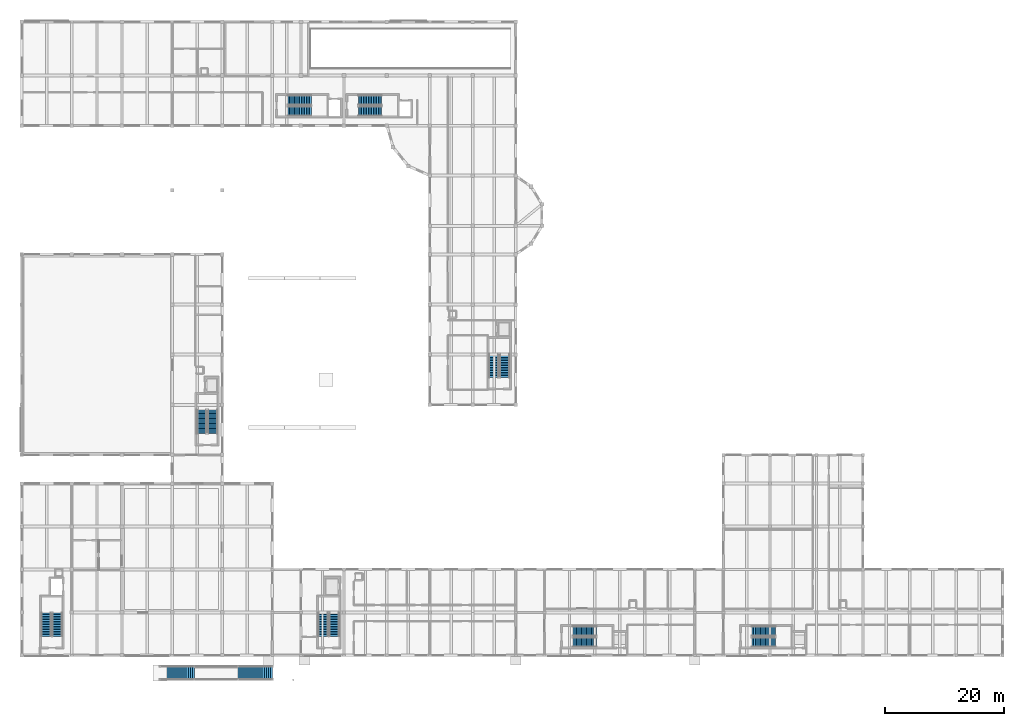
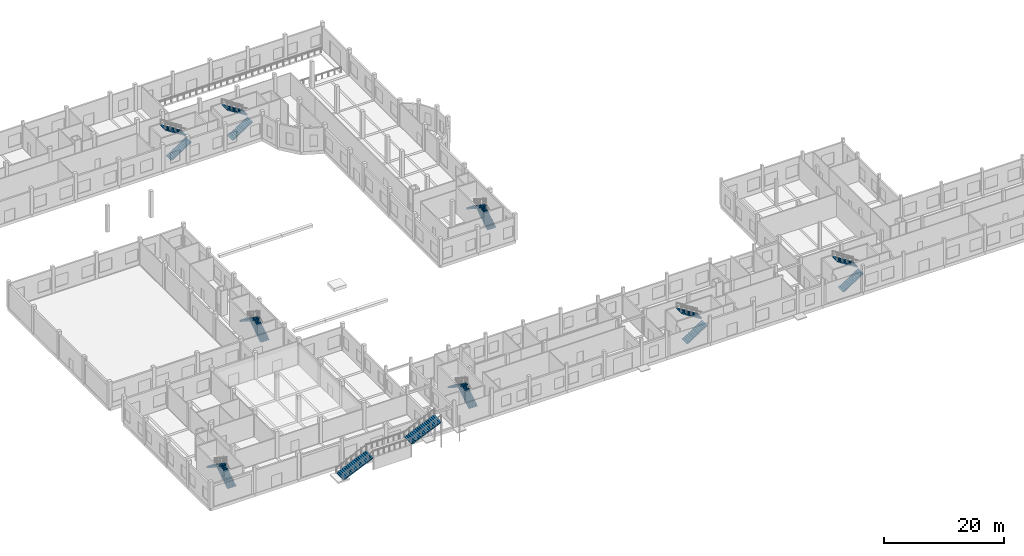
# One storey, part 29 of 41: 18 stair flights, 9 elements without a shape of their own.
"""IFC4 building model written with IfcOpenShell, lengths in metres."""

from ifc_helpers import new_model, si_unit, direction, frame, origin, place, context, subcontext, project, spatial, polyline, outline, extrude, material, type_object, element, aggregate, save


model = new_model("IFC4")

# Units and contexts
model_context = context("Model", 3, precision=1e-05, world=origin(), true_north=direction((0.0, 1.0)))
body_context = subcontext(model_context, "Body", "Model", "MODEL_VIEW")
ifc_project = project(units=[si_unit("LENGTHUNIT", "METRE"), si_unit("AREAUNIT", "SQUARE_METRE"), si_unit("VOLUMEUNIT", "CUBIC_METRE"), si_unit("PLANEANGLEUNIT", "RADIAN"), si_unit("MASSUNIT", "GRAM", prefix="KILO")], contexts=[model_context])

# Site, building, storey
site_placement = place(None, origin())
site = spatial("IfcSite", under=ifc_project, at=site_placement, CompositionType="ELEMENT")
building_placement = place(site_placement, origin())
building = spatial("IfcBuilding", under=site, at=building_placement, Name="Kahlenmark Community Centre", CompositionType="ELEMENT")
storey_placement = place(building_placement, origin())
storey = spatial("IfcBuildingStorey", under=building, at=storey_placement, Name="L00", CompositionType="ELEMENT", Elevation=0.0)

# Stair, stair flights
ifc_material_1 = material(Name="Concrete C35/45", Category="concrete")
stair_type_1 = type_object("IfcStairType", Name="STT-CORE-ST-01-180", PredefinedType="HALF_TURN_STAIR", material=ifc_material_1)
stair_1_placement = place(storey_placement, origin())
stair_1 = element("IfcStair", 1, at=stair_1_placement, inside=storey, type_object=stair_type_1, Name="L00 Core K1 Escape Stair ST-01", PredefinedType="HALF_TURN_STAIR")
stair_flight_type_1 = type_object("IfcStairFlightType", Name="SFT-CORE-ST-01-180", PredefinedType="STRAIGHT", material=ifc_material_1)
stair_flight_1_placement = place(storey_placement, frame((9.97509765625, 12.0, 0.0), z_axis=(0.0, 0.0, 1.0), x_axis=(0.0, 1.0, 0.0)))
stair_flight_1 = element("IfcStairFlight", 2, at=stair_flight_1_placement, type_object=stair_flight_type_1, Name="ST-01 flight 1", NumberOfRisers=15, NumberOfTreads=14, PredefinedType="STRAIGHT", RiserHeight=0.18, TreadLength=0.28, context=body_context, shape_type="SweptSolid", body=[
    extrude(outline(polyline([(0.0, 0.0), (0.0, 0.179931640625), (0.280029296875, 0.179931640625), (0.280029296875, 0.360107421875), (0.56005859375, 0.360107421875), (0.56005859375, 0.5400390625), (0.840087890625, 0.5400390625), (0.840087890625, 0.719970703125), (1.1201171875, 0.719970703125), (1.1201171875, 0.89990234375), (1.39990234375, 0.89990234375), (1.39990234375, 1.080078125), (1.679931640625, 1.080078125), (1.679931640625, 1.260009765625), (1.9599609375, 1.260009765625), (1.9599609375, 1.43994140625), (2.239990234375, 1.43994140625), (2.239990234375, 1.6201171875), (2.52001953125, 1.6201171875), (2.52001953125, 1.800048828125), (2.800048828125, 1.800048828125), (2.800048828125, 1.97998046875), (3.080078125, 1.97998046875), (3.080078125, 2.159912109375), (3.360107421875, 2.159912109375), (3.360107421875, 2.340087890625), (3.639892578125, 2.340087890625), (3.639892578125, 2.52001953125), (3.919921875, 2.52001953125), (3.919921875, 2.699951171875), (3.919921875, 2.341796875), (0.277099609375, 0.0), (0.0, 0.0)])), frame((0.0, 0.824951171875, 0.0), z_axis=(0.0, -1.0, 0.0), x_axis=(1.0, 0.0, 0.0)), (0.0, 0.0, 1.0), 1.64990234375),
])
stair_flight_2_placement = place(storey_placement, frame((8.125, 15.919921875, 2.699951171875), z_axis=(0.0, 0.0, 1.0), x_axis=(0.0, -1.0, 0.0)))
stair_flight_2 = element("IfcStairFlight", 3, at=stair_flight_2_placement, type_object=stair_flight_type_1, Name="ST-01 flight 2", NumberOfRisers=15, NumberOfTreads=14, PredefinedType="STRAIGHT", RiserHeight=0.18, TreadLength=0.28, context=body_context, shape_type="SweptSolid", body=[
    extrude(outline(polyline([(0.0, 0.0), (0.0, 0.179931640625), (0.280029296875, 0.179931640625), (0.280029296875, 0.360107421875), (0.56005859375, 0.360107421875), (0.56005859375, 0.5400390625), (0.840087890625, 0.5400390625), (0.840087890625, 0.719970703125), (1.1201171875, 0.719970703125), (1.1201171875, 0.89990234375), (1.39990234375, 0.89990234375), (1.39990234375, 1.080078125), (1.679931640625, 1.080078125), (1.679931640625, 1.260009765625), (1.9599609375, 1.260009765625), (1.9599609375, 1.43994140625), (2.239990234375, 1.43994140625), (2.239990234375, 1.6201171875), (2.52001953125, 1.6201171875), (2.52001953125, 1.800048828125), (2.800048828125, 1.800048828125), (2.800048828125, 1.97998046875), (3.080078125, 1.97998046875), (3.080078125, 2.159912109375), (3.360107421875, 2.159912109375), (3.360107421875, 2.340087890625), (3.639892578125, 2.340087890625), (3.639892578125, 2.52001953125), (3.919921875, 2.52001953125), (3.919921875, 2.699951171875), (3.919921875, 2.341796875), (0.277099609375, 0.0), (0.0, 0.0)])), frame((0.0, 0.824951171875, 0.0), z_axis=(0.0, -1.0, 0.0), x_axis=(1.0, 0.0, 0.0)), (0.0, 0.0, 1.0), 1.64990234375),
])
aggregate(stair_1, [stair_flight_1, stair_flight_2])

stair_type_2 = type_object("IfcStairType", Name="STT-CORE-ST-02-180", PredefinedType="HALF_TURN_STAIR", material=ifc_material_1)
stair_2_placement = place(storey_placement, origin())
stair_2 = element("IfcStair", 4, at=stair_2_placement, inside=storey, type_object=stair_type_2, Name="L00 Core K2 Escape Stair ST-02", PredefinedType="HALF_TURN_STAIR")
stair_flight_type_2 = type_object("IfcStairFlightType", Name="SFT-CORE-ST-02-180", PredefinedType="STRAIGHT", material=ifc_material_1)
stair_flight_3_placement = place(storey_placement, frame((35.97509765625, 46.0, 0.0), z_axis=(0.0, 0.0, 1.0), x_axis=(0.0, 1.0, 0.0)))
stair_flight_3 = element("IfcStairFlight", 5, at=stair_flight_3_placement, type_object=stair_flight_type_2, Name="ST-02 flight 1", NumberOfRisers=15, NumberOfTreads=14, PredefinedType="STRAIGHT", RiserHeight=0.18, TreadLength=0.28, context=body_context, shape_type="SweptSolid", body=[
    extrude(outline(polyline([(0.0, 0.0), (0.0, 0.179931640625), (0.280029296875, 0.179931640625), (0.280029296875, 0.360107421875), (0.56005859375, 0.360107421875), (0.56005859375, 0.5400390625), (0.840087890625, 0.5400390625), (0.840087890625, 0.719970703125), (1.1201171875, 0.719970703125), (1.1201171875, 0.89990234375), (1.39990234375, 0.89990234375), (1.39990234375, 1.080078125), (1.679931640625, 1.080078125), (1.679931640625, 1.260009765625), (1.9599609375, 1.260009765625), (1.9599609375, 1.43994140625), (2.239990234375, 1.43994140625), (2.239990234375, 1.6201171875), (2.52001953125, 1.6201171875), (2.52001953125, 1.800048828125), (2.800048828125, 1.800048828125), (2.800048828125, 1.97998046875), (3.080078125, 1.97998046875), (3.080078125, 2.159912109375), (3.360107421875, 2.159912109375), (3.360107421875, 2.340087890625), (3.639892578125, 2.340087890625), (3.639892578125, 2.52001953125), (3.919921875, 2.52001953125), (3.919921875, 2.699951171875), (3.919921875, 2.341796875), (0.277099609375, 0.0), (0.0, 0.0)])), frame((0.0, 0.824951171875, 0.0), z_axis=(0.0, -1.0, 0.0), x_axis=(1.0, 0.0, 0.0)), (0.0, 0.0, 1.0), 1.64990234375),
])
stair_flight_4_placement = place(storey_placement, frame((34.125, 49.919921875, 2.699951171875), z_axis=(0.0, 0.0, 1.0), x_axis=(0.0, -1.0, 0.0)))
stair_flight_4 = element("IfcStairFlight", 6, at=stair_flight_4_placement, type_object=stair_flight_type_2, Name="ST-02 flight 2", NumberOfRisers=15, NumberOfTreads=14, PredefinedType="STRAIGHT", RiserHeight=0.18, TreadLength=0.28, context=body_context, shape_type="SweptSolid", body=[
    extrude(outline(polyline([(0.0, 0.0), (0.0, 0.179931640625), (0.280029296875, 0.179931640625), (0.280029296875, 0.360107421875), (0.56005859375, 0.360107421875), (0.56005859375, 0.5400390625), (0.840087890625, 0.5400390625), (0.840087890625, 0.719970703125), (1.1201171875, 0.719970703125), (1.1201171875, 0.89990234375), (1.39990234375, 0.89990234375), (1.39990234375, 1.080078125), (1.679931640625, 1.080078125), (1.679931640625, 1.260009765625), (1.9599609375, 1.260009765625), (1.9599609375, 1.43994140625), (2.239990234375, 1.43994140625), (2.239990234375, 1.6201171875), (2.52001953125, 1.6201171875), (2.52001953125, 1.800048828125), (2.800048828125, 1.800048828125), (2.800048828125, 1.97998046875), (3.080078125, 1.97998046875), (3.080078125, 2.159912109375), (3.360107421875, 2.159912109375), (3.360107421875, 2.340087890625), (3.639892578125, 2.340087890625), (3.639892578125, 2.52001953125), (3.919921875, 2.52001953125), (3.919921875, 2.699951171875), (3.919921875, 2.341796875), (0.277099609375, 0.0), (0.0, 0.0)])), frame((0.0, 0.824951171875, 0.0), z_axis=(0.0, -1.0, 0.0), x_axis=(1.0, 0.0, 0.0)), (0.0, 0.0, 1.0), 1.64990234375),
])
aggregate(stair_2, [stair_flight_3, stair_flight_4])

stair_type_3 = type_object("IfcStairType", Name="STT-CORE-ST-03-180", PredefinedType="HALF_TURN_STAIR", material=ifc_material_1)
stair_3_placement = place(storey_placement, origin())
stair_3 = element("IfcStair", 7, at=stair_3_placement, inside=storey, type_object=stair_type_3, Name="L00 Core K3 Escape Stair ST-03", PredefinedType="HALF_TURN_STAIR")
stair_flight_type_3 = type_object("IfcStairFlightType", Name="SFT-CORE-ST-03-180", PredefinedType="STRAIGHT", material=ifc_material_1)
stair_flight_5_placement = place(storey_placement, frame((56.375, 12.0, 0.0), z_axis=(0.0, 0.0, 1.0), x_axis=(0.0, 1.0, 0.0)))
stair_flight_5 = element("IfcStairFlight", 8, at=stair_flight_5_placement, type_object=stair_flight_type_3, Name="ST-03 flight 1", NumberOfRisers=15, NumberOfTreads=14, PredefinedType="STRAIGHT", RiserHeight=0.18, TreadLength=0.28, context=body_context, shape_type="SweptSolid", body=[
    extrude(outline(polyline([(0.0, 0.0), (0.0, 0.179931640625), (0.280029296875, 0.179931640625), (0.280029296875, 0.360107421875), (0.56005859375, 0.360107421875), (0.56005859375, 0.5400390625), (0.840087890625, 0.5400390625), (0.840087890625, 0.719970703125), (1.1201171875, 0.719970703125), (1.1201171875, 0.89990234375), (1.39990234375, 0.89990234375), (1.39990234375, 1.080078125), (1.679931640625, 1.080078125), (1.679931640625, 1.260009765625), (1.9599609375, 1.260009765625), (1.9599609375, 1.43994140625), (2.239990234375, 1.43994140625), (2.239990234375, 1.6201171875), (2.52001953125, 1.6201171875), (2.52001953125, 1.800048828125), (2.800048828125, 1.800048828125), (2.800048828125, 1.97998046875), (3.080078125, 1.97998046875), (3.080078125, 2.159912109375), (3.360107421875, 2.159912109375), (3.360107421875, 2.340087890625), (3.639892578125, 2.340087890625), (3.639892578125, 2.52001953125), (3.919921875, 2.52001953125), (3.919921875, 2.699951171875), (3.919921875, 2.341796875), (0.277099609375, 0.0), (0.0, 0.0)])), frame((0.0, 0.824951171875, 0.0), z_axis=(0.0, -1.0, 0.0), x_axis=(1.0, 0.0, 0.0)), (0.0, 0.0, 1.0), 1.64990234375),
])
stair_flight_6_placement = place(storey_placement, frame((54.52490234375, 15.919921875, 2.699951171875), z_axis=(0.0, 0.0, 1.0), x_axis=(0.0, -1.0, 0.0)))
stair_flight_6 = element("IfcStairFlight", 9, at=stair_flight_6_placement, type_object=stair_flight_type_3, Name="ST-03 flight 2", NumberOfRisers=15, NumberOfTreads=14, PredefinedType="STRAIGHT", RiserHeight=0.18, TreadLength=0.28, context=body_context, shape_type="SweptSolid", body=[
    extrude(outline(polyline([(0.0, 0.0), (0.0, 0.179931640625), (0.280029296875, 0.179931640625), (0.280029296875, 0.360107421875), (0.56005859375, 0.360107421875), (0.56005859375, 0.5400390625), (0.840087890625, 0.5400390625), (0.840087890625, 0.719970703125), (1.1201171875, 0.719970703125), (1.1201171875, 0.89990234375), (1.39990234375, 0.89990234375), (1.39990234375, 1.080078125), (1.679931640625, 1.080078125), (1.679931640625, 1.260009765625), (1.9599609375, 1.260009765625), (1.9599609375, 1.43994140625), (2.239990234375, 1.43994140625), (2.239990234375, 1.6201171875), (2.52001953125, 1.6201171875), (2.52001953125, 1.800048828125), (2.800048828125, 1.800048828125), (2.800048828125, 1.97998046875), (3.080078125, 1.97998046875), (3.080078125, 2.159912109375), (3.360107421875, 2.159912109375), (3.360107421875, 2.340087890625), (3.639892578125, 2.340087890625), (3.639892578125, 2.52001953125), (3.919921875, 2.52001953125), (3.919921875, 2.699951171875), (3.919921875, 2.341796875), (0.277099609375, 0.0), (0.0, 0.0)])), frame((0.0, 0.824951171875, 0.0), z_axis=(0.0, -1.0, 0.0), x_axis=(1.0, 0.0, 0.0)), (0.0, 0.0, 1.0), 1.64990234375),
])
aggregate(stair_3, [stair_flight_5, stair_flight_6])

stair_type_4 = type_object("IfcStairType", Name="STT-CORE-ST-04-180", PredefinedType="HALF_TURN_STAIR", material=ifc_material_1)
stair_4_placement = place(storey_placement, origin())
stair_4 = element("IfcStair", 10, at=stair_4_placement, inside=storey, type_object=stair_type_4, Name="L00 Core K4 Escape Stair ST-04", PredefinedType="HALF_TURN_STAIR")
stair_flight_type_4 = type_object("IfcStairFlightType", Name="SFT-CORE-ST-04-180", PredefinedType="STRAIGHT", material=ifc_material_1)
stair_flight_7_placement = place(storey_placement, frame((48.60009765625, 100.02490234375, 0.0), z_axis=(0.0, 0.0, 1.0), x_axis=(1.0, 0.0, 0.0)))
stair_flight_7 = element("IfcStairFlight", 11, at=stair_flight_7_placement, type_object=stair_flight_type_4, Name="ST-04 flight 1", NumberOfRisers=15, NumberOfTreads=14, PredefinedType="STRAIGHT", RiserHeight=0.18, TreadLength=0.28, context=body_context, shape_type="SweptSolid", body=[
    extrude(outline(polyline([(0.0, 0.0), (0.0, 0.179931640625), (0.280029296875, 0.179931640625), (0.280029296875, 0.360107421875), (0.56005859375, 0.360107421875), (0.56005859375, 0.5400390625), (0.840087890625, 0.5400390625), (0.840087890625, 0.719970703125), (1.1201171875, 0.719970703125), (1.1201171875, 0.89990234375), (1.39990234375, 0.89990234375), (1.39990234375, 1.080078125), (1.679931640625, 1.080078125), (1.679931640625, 1.260009765625), (1.9599609375, 1.260009765625), (1.9599609375, 1.43994140625), (2.239990234375, 1.43994140625), (2.239990234375, 1.6201171875), (2.52001953125, 1.6201171875), (2.52001953125, 1.800048828125), (2.800048828125, 1.800048828125), (2.800048828125, 1.97998046875), (3.080078125, 1.97998046875), (3.080078125, 2.159912109375), (3.360107421875, 2.159912109375), (3.360107421875, 2.340087890625), (3.639892578125, 2.340087890625), (3.639892578125, 2.52001953125), (3.919921875, 2.52001953125), (3.919921875, 2.699951171875), (3.919921875, 2.341796875), (0.277099609375, 0.0), (0.0, 0.0)])), frame((0.0, 0.824951171875, 0.0), z_axis=(0.0, -1.0, 0.0), x_axis=(1.0, 0.0, 0.0)), (0.0, 0.0, 1.0), 1.64990234375),
])
stair_flight_8_placement = place(storey_placement, frame((52.52001953125, 101.875, 2.699951171875), z_axis=(0.0, 0.0, 1.0), x_axis=(-1.0, 0.0, 0.0)))
stair_flight_8 = element("IfcStairFlight", 12, at=stair_flight_8_placement, type_object=stair_flight_type_4, Name="ST-04 flight 2", NumberOfRisers=15, NumberOfTreads=14, PredefinedType="STRAIGHT", RiserHeight=0.18, TreadLength=0.28, context=body_context, shape_type="SweptSolid", body=[
    extrude(outline(polyline([(0.0, 0.0), (0.0, 0.179931640625), (0.280029296875, 0.179931640625), (0.280029296875, 0.360107421875), (0.56005859375, 0.360107421875), (0.56005859375, 0.5400390625), (0.840087890625, 0.5400390625), (0.840087890625, 0.719970703125), (1.1201171875, 0.719970703125), (1.1201171875, 0.89990234375), (1.39990234375, 0.89990234375), (1.39990234375, 1.080078125), (1.679931640625, 1.080078125), (1.679931640625, 1.260009765625), (1.9599609375, 1.260009765625), (1.9599609375, 1.43994140625), (2.239990234375, 1.43994140625), (2.239990234375, 1.6201171875), (2.52001953125, 1.6201171875), (2.52001953125, 1.800048828125), (2.800048828125, 1.800048828125), (2.800048828125, 1.97998046875), (3.080078125, 1.97998046875), (3.080078125, 2.159912109375), (3.360107421875, 2.159912109375), (3.360107421875, 2.340087890625), (3.639892578125, 2.340087890625), (3.639892578125, 2.52001953125), (3.919921875, 2.52001953125), (3.919921875, 2.699951171875), (3.919921875, 2.341796875), (0.277099609375, 0.0), (0.0, 0.0)])), frame((0.0, 0.824951171875, 0.0), z_axis=(0.0, -1.0, 0.0), x_axis=(1.0, 0.0, 0.0)), (0.0, 0.0, 1.0), 1.64990234375),
])
aggregate(stair_4, [stair_flight_7, stair_flight_8])

stair_type_5 = type_object("IfcStairType", Name="STT-CORE-ST-05-180", PredefinedType="HALF_TURN_STAIR", material=ifc_material_1)
stair_5_placement = place(storey_placement, origin())
stair_5 = element("IfcStair", 13, at=stair_5_placement, inside=storey, type_object=stair_type_5, Name="L00 Core K5 Escape Stair ST-05", PredefinedType="HALF_TURN_STAIR")
stair_flight_type_5 = type_object("IfcStairFlightType", Name="SFT-CORE-ST-05-180", PredefinedType="STRAIGHT", material=ifc_material_1)
stair_flight_9_placement = place(storey_placement, frame((60.39990234375, 100.02490234375, 0.0), z_axis=(0.0, 0.0, 1.0), x_axis=(1.0, 0.0, 0.0)))
stair_flight_9 = element("IfcStairFlight", 14, at=stair_flight_9_placement, type_object=stair_flight_type_5, Name="ST-05 flight 1", NumberOfRisers=15, NumberOfTreads=14, PredefinedType="STRAIGHT", RiserHeight=0.18, TreadLength=0.28, context=body_context, shape_type="SweptSolid", body=[
    extrude(outline(polyline([(0.0, 0.0), (0.0, 0.179931640625), (0.280029296875, 0.179931640625), (0.280029296875, 0.360107421875), (0.56005859375, 0.360107421875), (0.56005859375, 0.5400390625), (0.840087890625, 0.5400390625), (0.840087890625, 0.719970703125), (1.1201171875, 0.719970703125), (1.1201171875, 0.89990234375), (1.39990234375, 0.89990234375), (1.39990234375, 1.080078125), (1.679931640625, 1.080078125), (1.679931640625, 1.260009765625), (1.9599609375, 1.260009765625), (1.9599609375, 1.43994140625), (2.239990234375, 1.43994140625), (2.239990234375, 1.6201171875), (2.52001953125, 1.6201171875), (2.52001953125, 1.800048828125), (2.800048828125, 1.800048828125), (2.800048828125, 1.97998046875), (3.080078125, 1.97998046875), (3.080078125, 2.159912109375), (3.360107421875, 2.159912109375), (3.360107421875, 2.340087890625), (3.639892578125, 2.340087890625), (3.639892578125, 2.52001953125), (3.919921875, 2.52001953125), (3.919921875, 2.699951171875), (3.919921875, 2.341796875), (0.277099609375, 0.0), (0.0, 0.0)])), frame((0.0, 0.824951171875, 0.0), z_axis=(0.0, -1.0, 0.0), x_axis=(1.0, 0.0, 0.0)), (0.0, 0.0, 1.0), 1.64990234375),
])
stair_flight_10_placement = place(storey_placement, frame((64.320068359375, 101.875, 2.699951171875), z_axis=(0.0, 0.0, 1.0), x_axis=(-1.0, 0.0, 0.0)))
stair_flight_10 = element("IfcStairFlight", 15, at=stair_flight_10_placement, type_object=stair_flight_type_5, Name="ST-05 flight 2", NumberOfRisers=15, NumberOfTreads=14, PredefinedType="STRAIGHT", RiserHeight=0.18, TreadLength=0.28, context=body_context, shape_type="SweptSolid", body=[
    extrude(outline(polyline([(0.0, 0.0), (0.0, 0.179931640625), (0.280029296875, 0.179931640625), (0.280029296875, 0.360107421875), (0.56005859375, 0.360107421875), (0.56005859375, 0.5400390625), (0.840087890625, 0.5400390625), (0.840087890625, 0.719970703125), (1.1201171875, 0.719970703125), (1.1201171875, 0.89990234375), (1.39990234375, 0.89990234375), (1.39990234375, 1.080078125), (1.679931640625, 1.080078125), (1.679931640625, 1.260009765625), (1.9599609375, 1.260009765625), (1.9599609375, 1.43994140625), (2.239990234375, 1.43994140625), (2.239990234375, 1.6201171875), (2.52001953125, 1.6201171875), (2.52001953125, 1.800048828125), (2.800048828125, 1.800048828125), (2.800048828125, 1.97998046875), (3.080078125, 1.97998046875), (3.080078125, 2.159912109375), (3.360107421875, 2.159912109375), (3.360107421875, 2.340087890625), (3.639892578125, 2.340087890625), (3.639892578125, 2.52001953125), (3.919921875, 2.52001953125), (3.919921875, 2.699951171875), (3.919921875, 2.341796875), (0.277099609375, 0.0), (0.0, 0.0)])), frame((0.0, 0.824951171875, 0.0), z_axis=(0.0, -1.0, 0.0), x_axis=(1.0, 0.0, 0.0)), (0.0, 0.0, 1.0), 1.64990234375),
])
aggregate(stair_5, [stair_flight_9, stair_flight_10])

stair_type_6 = type_object("IfcStairType", Name="STT-CORE-ST-06-180", PredefinedType="HALF_TURN_STAIR", material=ifc_material_1)
stair_6_placement = place(storey_placement, origin())
stair_6 = element("IfcStair", 16, at=stair_6_placement, inside=storey, type_object=stair_type_6, Name="L00 Core K6 Escape Stair ST-06", PredefinedType="HALF_TURN_STAIR")
stair_flight_type_6 = type_object("IfcStairFlightType", Name="SFT-CORE-ST-06-180", PredefinedType="STRAIGHT", material=ifc_material_1)
stair_flight_11_placement = place(storey_placement, frame((84.97509765625, 55.39990234375, 0.0), z_axis=(0.0, 0.0, 1.0), x_axis=(0.0, 1.0, 0.0)))
stair_flight_11 = element("IfcStairFlight", 17, at=stair_flight_11_placement, type_object=stair_flight_type_6, Name="ST-06 flight 1", NumberOfRisers=15, NumberOfTreads=14, PredefinedType="STRAIGHT", RiserHeight=0.18, TreadLength=0.28, context=body_context, shape_type="SweptSolid", body=[
    extrude(outline(polyline([(0.0, 0.0), (0.0, 0.179931640625), (0.280029296875, 0.179931640625), (0.280029296875, 0.360107421875), (0.56005859375, 0.360107421875), (0.56005859375, 0.5400390625), (0.840087890625, 0.5400390625), (0.840087890625, 0.719970703125), (1.1201171875, 0.719970703125), (1.1201171875, 0.89990234375), (1.39990234375, 0.89990234375), (1.39990234375, 1.080078125), (1.679931640625, 1.080078125), (1.679931640625, 1.260009765625), (1.9599609375, 1.260009765625), (1.9599609375, 1.43994140625), (2.239990234375, 1.43994140625), (2.239990234375, 1.6201171875), (2.52001953125, 1.6201171875), (2.52001953125, 1.800048828125), (2.800048828125, 1.800048828125), (2.800048828125, 1.97998046875), (3.080078125, 1.97998046875), (3.080078125, 2.159912109375), (3.360107421875, 2.159912109375), (3.360107421875, 2.340087890625), (3.639892578125, 2.340087890625), (3.639892578125, 2.52001953125), (3.919921875, 2.52001953125), (3.919921875, 2.699951171875), (3.919921875, 2.341796875), (0.277099609375, 0.0), (0.0, 0.0)])), frame((0.0, 0.824951171875, 0.0), z_axis=(0.0, -1.0, 0.0), x_axis=(1.0, 0.0, 0.0)), (0.0, 0.0, 1.0), 1.64990234375),
])
stair_flight_12_placement = place(storey_placement, frame((83.125, 59.320068359375, 2.699951171875), z_axis=(0.0, 0.0, 1.0), x_axis=(0.0, -1.0, 0.0)))
stair_flight_12 = element("IfcStairFlight", 18, at=stair_flight_12_placement, type_object=stair_flight_type_6, Name="ST-06 flight 2", NumberOfRisers=15, NumberOfTreads=14, PredefinedType="STRAIGHT", RiserHeight=0.18, TreadLength=0.28, context=body_context, shape_type="SweptSolid", body=[
    extrude(outline(polyline([(0.0, 0.0), (0.0, 0.179931640625), (0.280029296875, 0.179931640625), (0.280029296875, 0.360107421875), (0.56005859375, 0.360107421875), (0.56005859375, 0.5400390625), (0.840087890625, 0.5400390625), (0.840087890625, 0.719970703125), (1.1201171875, 0.719970703125), (1.1201171875, 0.89990234375), (1.39990234375, 0.89990234375), (1.39990234375, 1.080078125), (1.679931640625, 1.080078125), (1.679931640625, 1.260009765625), (1.9599609375, 1.260009765625), (1.9599609375, 1.43994140625), (2.239990234375, 1.43994140625), (2.239990234375, 1.6201171875), (2.52001953125, 1.6201171875), (2.52001953125, 1.800048828125), (2.800048828125, 1.800048828125), (2.800048828125, 1.97998046875), (3.080078125, 1.97998046875), (3.080078125, 2.159912109375), (3.360107421875, 2.159912109375), (3.360107421875, 2.340087890625), (3.639892578125, 2.340087890625), (3.639892578125, 2.52001953125), (3.919921875, 2.52001953125), (3.919921875, 2.699951171875), (3.919921875, 2.341796875), (0.277099609375, 0.0), (0.0, 0.0)])), frame((0.0, 0.824951171875, 0.0), z_axis=(0.0, -1.0, 0.0), x_axis=(1.0, 0.0, 0.0)), (0.0, 0.0, 1.0), 1.64990234375),
])
aggregate(stair_6, [stair_flight_11, stair_flight_12])

stair_type_7 = type_object("IfcStairType", Name="STT-CORE-ST-07-180", PredefinedType="HALF_TURN_STAIR", material=ifc_material_1)
stair_7_placement = place(storey_placement, origin())
stair_7 = element("IfcStair", 19, at=stair_7_placement, inside=storey, type_object=stair_type_7, Name="L00 Core K7 Escape Stair ST-07", PredefinedType="HALF_TURN_STAIR")
stair_flight_type_7 = type_object("IfcStairFlightType", Name="SFT-CORE-ST-07-180", PredefinedType="STRAIGHT", material=ifc_material_1)
stair_flight_13_placement = place(storey_placement, frame((96.39990234375, 11.02490234375, 0.0), z_axis=(0.0, 0.0, 1.0), x_axis=(1.0, 0.0, 0.0)))
stair_flight_13 = element("IfcStairFlight", 20, at=stair_flight_13_placement, type_object=stair_flight_type_7, Name="ST-07 flight 1", NumberOfRisers=15, NumberOfTreads=14, PredefinedType="STRAIGHT", RiserHeight=0.18, TreadLength=0.28, context=body_context, shape_type="SweptSolid", body=[
    extrude(outline(polyline([(0.0, 0.0), (0.0, 0.179931640625), (0.280029296875, 0.179931640625), (0.280029296875, 0.360107421875), (0.56005859375, 0.360107421875), (0.56005859375, 0.5400390625), (0.840087890625, 0.5400390625), (0.840087890625, 0.719970703125), (1.1201171875, 0.719970703125), (1.1201171875, 0.89990234375), (1.39990234375, 0.89990234375), (1.39990234375, 1.080078125), (1.679931640625, 1.080078125), (1.679931640625, 1.260009765625), (1.9599609375, 1.260009765625), (1.9599609375, 1.43994140625), (2.239990234375, 1.43994140625), (2.239990234375, 1.6201171875), (2.52001953125, 1.6201171875), (2.52001953125, 1.800048828125), (2.800048828125, 1.800048828125), (2.800048828125, 1.97998046875), (3.080078125, 1.97998046875), (3.080078125, 2.159912109375), (3.360107421875, 2.159912109375), (3.360107421875, 2.340087890625), (3.639892578125, 2.340087890625), (3.639892578125, 2.52001953125), (3.919921875, 2.52001953125), (3.919921875, 2.699951171875), (3.919921875, 2.341796875), (0.277099609375, 0.0), (0.0, 0.0)])), frame((0.0, 0.824951171875, 0.0), z_axis=(0.0, -1.0, 0.0), x_axis=(1.0, 0.0, 0.0)), (0.0, 0.0, 1.0), 1.64990234375),
])
stair_flight_14_placement = place(storey_placement, frame((100.320068359375, 12.875, 2.699951171875), z_axis=(0.0, 0.0, 1.0), x_axis=(-1.0, 0.0, 0.0)))
stair_flight_14 = element("IfcStairFlight", 21, at=stair_flight_14_placement, type_object=stair_flight_type_7, Name="ST-07 flight 2", NumberOfRisers=15, NumberOfTreads=14, PredefinedType="STRAIGHT", RiserHeight=0.18, TreadLength=0.28, context=body_context, shape_type="SweptSolid", body=[
    extrude(outline(polyline([(0.0, 0.0), (0.0, 0.179931640625), (0.280029296875, 0.179931640625), (0.280029296875, 0.360107421875), (0.56005859375, 0.360107421875), (0.56005859375, 0.5400390625), (0.840087890625, 0.5400390625), (0.840087890625, 0.719970703125), (1.1201171875, 0.719970703125), (1.1201171875, 0.89990234375), (1.39990234375, 0.89990234375), (1.39990234375, 1.080078125), (1.679931640625, 1.080078125), (1.679931640625, 1.260009765625), (1.9599609375, 1.260009765625), (1.9599609375, 1.43994140625), (2.239990234375, 1.43994140625), (2.239990234375, 1.6201171875), (2.52001953125, 1.6201171875), (2.52001953125, 1.800048828125), (2.800048828125, 1.800048828125), (2.800048828125, 1.97998046875), (3.080078125, 1.97998046875), (3.080078125, 2.159912109375), (3.360107421875, 2.159912109375), (3.360107421875, 2.340087890625), (3.639892578125, 2.340087890625), (3.639892578125, 2.52001953125), (3.919921875, 2.52001953125), (3.919921875, 2.699951171875), (3.919921875, 2.341796875), (0.277099609375, 0.0), (0.0, 0.0)])), frame((0.0, 0.824951171875, 0.0), z_axis=(0.0, -1.0, 0.0), x_axis=(1.0, 0.0, 0.0)), (0.0, 0.0, 1.0), 1.64990234375),
])
aggregate(stair_7, [stair_flight_13, stair_flight_14])

stair_type_8 = type_object("IfcStairType", Name="STT-CORE-ST-08-180", PredefinedType="HALF_TURN_STAIR", material=ifc_material_1)
stair_8_placement = place(storey_placement, origin())
stair_8 = element("IfcStair", 22, at=stair_8_placement, inside=storey, type_object=stair_type_8, Name="L00 Core K8 Escape Stair ST-08", PredefinedType="HALF_TURN_STAIR")
stair_flight_type_8 = type_object("IfcStairFlightType", Name="SFT-CORE-ST-08-180", PredefinedType="STRAIGHT", material=ifc_material_1)
stair_flight_15_placement = place(storey_placement, frame((126.39990234375, 11.02490234375, 0.0), z_axis=(0.0, 0.0, 1.0), x_axis=(1.0, 0.0, 0.0)))
stair_flight_15 = element("IfcStairFlight", 23, at=stair_flight_15_placement, type_object=stair_flight_type_8, Name="ST-08 flight 1", NumberOfRisers=15, NumberOfTreads=14, PredefinedType="STRAIGHT", RiserHeight=0.18, TreadLength=0.28, context=body_context, shape_type="SweptSolid", body=[
    extrude(outline(polyline([(0.0, 0.0), (0.0, 0.179931640625), (0.280029296875, 0.179931640625), (0.280029296875, 0.360107421875), (0.56005859375, 0.360107421875), (0.56005859375, 0.5400390625), (0.840087890625, 0.5400390625), (0.840087890625, 0.719970703125), (1.1201171875, 0.719970703125), (1.1201171875, 0.89990234375), (1.39990234375, 0.89990234375), (1.39990234375, 1.080078125), (1.679931640625, 1.080078125), (1.679931640625, 1.260009765625), (1.9599609375, 1.260009765625), (1.9599609375, 1.43994140625), (2.239990234375, 1.43994140625), (2.239990234375, 1.6201171875), (2.52001953125, 1.6201171875), (2.52001953125, 1.800048828125), (2.800048828125, 1.800048828125), (2.800048828125, 1.97998046875), (3.080078125, 1.97998046875), (3.080078125, 2.159912109375), (3.360107421875, 2.159912109375), (3.360107421875, 2.340087890625), (3.639892578125, 2.340087890625), (3.639892578125, 2.52001953125), (3.919921875, 2.52001953125), (3.919921875, 2.699951171875), (3.919921875, 2.341796875), (0.277099609375, 0.0), (0.0, 0.0)])), frame((0.0, 0.824951171875, 0.0), z_axis=(0.0, -1.0, 0.0), x_axis=(1.0, 0.0, 0.0)), (0.0, 0.0, 1.0), 1.64990234375),
])
stair_flight_16_placement = place(storey_placement, frame((130.320068359375, 12.875, 2.699951171875), z_axis=(0.0, 0.0, 1.0), x_axis=(-1.0, 0.0, 0.0)))
stair_flight_16 = element("IfcStairFlight", 24, at=stair_flight_16_placement, type_object=stair_flight_type_8, Name="ST-08 flight 2", NumberOfRisers=15, NumberOfTreads=14, PredefinedType="STRAIGHT", RiserHeight=0.18, TreadLength=0.28, context=body_context, shape_type="SweptSolid", body=[
    extrude(outline(polyline([(0.0, 0.0), (0.0, 0.179931640625), (0.280029296875, 0.179931640625), (0.280029296875, 0.360107421875), (0.56005859375, 0.360107421875), (0.56005859375, 0.5400390625), (0.840087890625, 0.5400390625), (0.840087890625, 0.719970703125), (1.1201171875, 0.719970703125), (1.1201171875, 0.89990234375), (1.39990234375, 0.89990234375), (1.39990234375, 1.080078125), (1.679931640625, 1.080078125), (1.679931640625, 1.260009765625), (1.9599609375, 1.260009765625), (1.9599609375, 1.43994140625), (2.239990234375, 1.43994140625), (2.239990234375, 1.6201171875), (2.52001953125, 1.6201171875), (2.52001953125, 1.800048828125), (2.800048828125, 1.800048828125), (2.800048828125, 1.97998046875), (3.080078125, 1.97998046875), (3.080078125, 2.159912109375), (3.360107421875, 2.159912109375), (3.360107421875, 2.340087890625), (3.639892578125, 2.340087890625), (3.639892578125, 2.52001953125), (3.919921875, 2.52001953125), (3.919921875, 2.699951171875), (3.919921875, 2.341796875), (0.277099609375, 0.0), (0.0, 0.0)])), frame((0.0, 0.824951171875, 0.0), z_axis=(0.0, -1.0, 0.0), x_axis=(1.0, 0.0, 0.0)), (0.0, 0.0, 1.0), 1.64990234375),
])
aggregate(stair_8, [stair_flight_15, stair_flight_16])

ifc_material_2 = material(Name="Oxide-vermilion painted Steel S355", Category="steel")
stair_type_9 = type_object("IfcStairType", Name="STT-OUT-ST09", PredefinedType="STRAIGHT_RUN_STAIR", material=ifc_material_2)
stair_9_placement = place(storey_placement, origin())
stair_9 = element("IfcStair", 25, at=stair_9_placement, inside=storey, type_object=stair_type_9, Name="South Forecourt Ceremonial Stair ST-09", PredefinedType="STRAIGHT_RUN_STAIR")
stair_flight_type_9 = type_object("IfcStairFlightType", Name="SFT-OUT-ST09", PredefinedType="STRAIGHT", material=ifc_material_2)
stair_flight_17_placement = place(storey_placement, frame((27.139892578125, 5.85009765625, 0.0), z_axis=(0.0, 0.0, 1.0), x_axis=(1.0, 0.0, 0.0)))
stair_flight_17 = element("IfcStairFlight", 26, at=stair_flight_17_placement, type_object=stair_flight_type_9, Name="ST-09 flight 1", NumberOfRisers=18, NumberOfTreads=17, PredefinedType="STRAIGHT", RiserHeight=0.15, TreadLength=0.34, context=body_context, shape_type="SweptSolid", body=[
    extrude(outline(polyline([(0.0, 0.0), (0.0, 0.14990234375), (0.340087890625, 0.14990234375), (0.340087890625, 0.300048828125), (0.679931640625, 0.300048828125), (0.679931640625, 0.449951171875), (1.02001953125, 0.449951171875), (1.02001953125, 0.60009765625), (1.360107421875, 0.60009765625), (1.360107421875, 0.75), (1.699951171875, 0.75), (1.699951171875, 0.89990234375), (2.0400390625, 0.89990234375), (2.0400390625, 1.050048828125), (2.3798828125, 1.050048828125), (2.3798828125, 1.199951171875), (2.719970703125, 1.199951171875), (2.719970703125, 1.35009765625), (3.06005859375, 1.35009765625), (3.06005859375, 1.5), (3.39990234375, 1.5), (3.39990234375, 1.64990234375), (3.739990234375, 1.64990234375), (3.739990234375, 1.800048828125), (4.080078125, 1.800048828125), (4.080078125, 1.949951171875), (4.419921875, 1.949951171875), (4.419921875, 2.10009765625), (4.760009765625, 2.10009765625), (4.760009765625, 2.25), (5.10009765625, 2.25), (5.10009765625, 2.39990234375), (5.43994140625, 2.39990234375), (5.43994140625, 2.550048828125), (5.780029296875, 2.550048828125), (5.780029296875, 2.699951171875), (5.780029296875, 2.353271484375), (0.44580078125, 0.0), (0.0, 0.0)])), frame((0.0, 1.175048828125, 0.0), z_axis=(0.0, -1.0, 0.0), x_axis=(1.0, 0.0, 0.0)), (0.0, 0.0, 1.0), 2.35009765625),
])
stair_flight_18_placement = place(storey_placement, frame((40.219970703125, 5.85009765625, 2.699951171875), z_axis=(0.0, 0.0, 1.0), x_axis=(1.0, 0.0, 0.0)))
stair_flight_18 = element("IfcStairFlight", 27, at=stair_flight_18_placement, type_object=stair_flight_type_9, Name="ST-09 flight 2", NumberOfRisers=18, NumberOfTreads=17, PredefinedType="STRAIGHT", RiserHeight=0.15, TreadLength=0.34, context=body_context, shape_type="SweptSolid", body=[
    extrude(outline(polyline([(0.0, 0.0), (0.0, 0.14990234375), (0.340087890625, 0.14990234375), (0.340087890625, 0.300048828125), (0.679931640625, 0.300048828125), (0.679931640625, 0.449951171875), (1.02001953125, 0.449951171875), (1.02001953125, 0.60009765625), (1.360107421875, 0.60009765625), (1.360107421875, 0.75), (1.699951171875, 0.75), (1.699951171875, 0.89990234375), (2.0400390625, 0.89990234375), (2.0400390625, 1.050048828125), (2.3798828125, 1.050048828125), (2.3798828125, 1.199951171875), (2.719970703125, 1.199951171875), (2.719970703125, 1.35009765625), (3.06005859375, 1.35009765625), (3.06005859375, 1.5), (3.39990234375, 1.5), (3.39990234375, 1.64990234375), (3.739990234375, 1.64990234375), (3.739990234375, 1.800048828125), (4.080078125, 1.800048828125), (4.080078125, 1.949951171875), (4.419921875, 1.949951171875), (4.419921875, 2.10009765625), (4.760009765625, 2.10009765625), (4.760009765625, 2.25), (5.10009765625, 2.25), (5.10009765625, 2.39990234375), (5.43994140625, 2.39990234375), (5.43994140625, 2.550048828125), (5.780029296875, 2.550048828125), (5.780029296875, 2.699951171875), (5.780029296875, 2.353271484375), (0.44580078125, 0.0), (0.0, 0.0)])), frame((0.0, 1.175048828125, 0.0), z_axis=(0.0, -1.0, 0.0), x_axis=(1.0, 0.0, 0.0)), (0.0, 0.0, 1.0), 2.35009765625),
])
aggregate(stair_9, [stair_flight_17, stair_flight_18])

save(model, "model.ifc")
